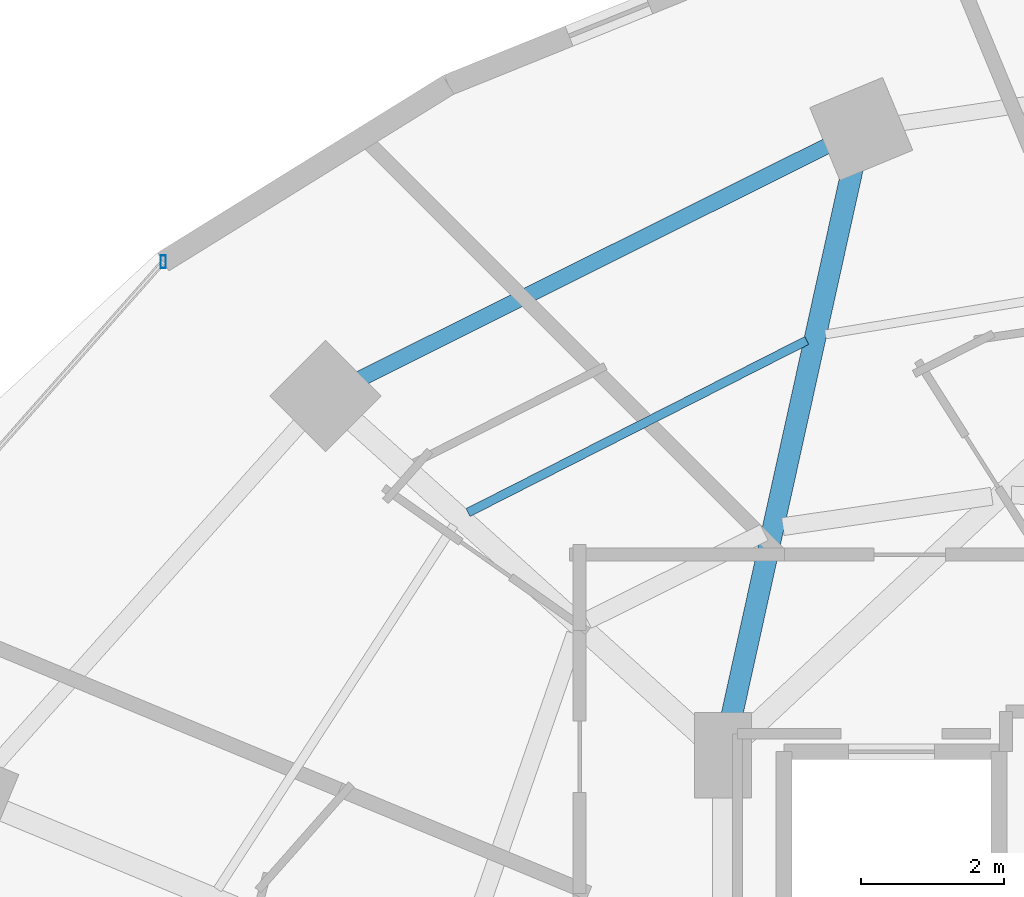
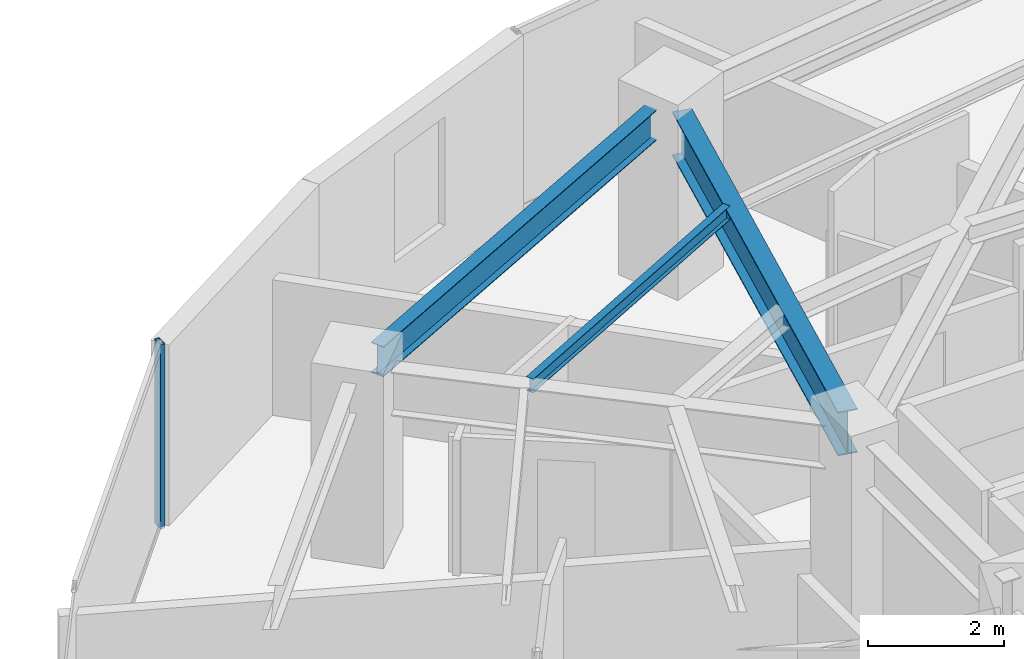
# One storey, part 17 of 30: 3 beams, 1 member, 1 element without a shape of its own.
"""IFC4 building model written with IfcOpenShell, lengths in metres."""

from ifc_helpers import new_model, si_unit, direction, frame, origin, origin_2d, place, context, subcontext, project, spatial, hollow_rectangle, i_section, extrude, material, material_profile, profile_set, type_object, element, aggregate, save


model = new_model("IFC4")

# Units and contexts
model_context = context("Model", 3, precision=1e-05, world=origin(), true_north=direction((0.0, 1.0)))
body_context = subcontext(model_context, "Body", "Model", "MODEL_VIEW")
ifc_project = project(units=[si_unit("LENGTHUNIT", "METRE"), si_unit("AREAUNIT", "SQUARE_METRE"), si_unit("VOLUMEUNIT", "CUBIC_METRE"), si_unit("PLANEANGLEUNIT", "RADIAN"), si_unit("MASSUNIT", "GRAM", prefix="KILO")], contexts=[model_context])

# Site, building, storey
site_placement = place(None, origin())
site = spatial("IfcSite", under=ifc_project, at=site_placement, CompositionType="ELEMENT")
building_placement = place(site_placement, origin())
building = spatial("IfcBuilding", under=site, at=building_placement, Name="Vorneva Point Tower", CompositionType="ELEMENT")
storey_placement = place(building_placement, frame((0.0, 0.0, 106.800048828125)))
storey = spatial("IfcBuildingStorey", under=building, at=storey_placement, Name="L28", CompositionType="ELEMENT", Elevation=106.800048828125)

# Beams
ifc_material_1 = material(Name="Steel S355", Category="steel")
ifc_material_profile_1 = material_profile(ifc_material_1, i_section(OverallWidth=0.300048828125, OverallDepth=0.7880859375, WebThickness=0.014404296875, FlangeThickness=0.02197265625, at=origin_2d()), Name="80Sh1")
ifc_profile_set_1 = profile_set([ifc_material_profile_1], Name="Steel S355")
beam_type_1 = type_object("IfcBeamType", Name="BM-GRD-80Sh1", PredefinedType="USERDEFINED", material=ifc_profile_set_1)
beam_1_placement = place(storey_placement, frame((29.063232421875, 41.365234375, 2.845947265625), z_axis=(-0.215530944428, -0.976497010745, 0.0), x_axis=(0.976497010745, -0.215530944428, 0.0)))
element("IfcBeam", 1, at=beam_1_placement, inside=storey, type_object=beam_type_1, Name="L28 Radial Primary Girder 06", ObjectType="GIRDER", PredefinedType="USERDEFINED", context=body_context, shape_type="SweptSolid", body=[
    extrude(i_section(OverallWidth=0.300048828125, OverallDepth=0.7880859375, WebThickness=0.014404296875, FlangeThickness=0.02197265625, at=origin_2d()), origin(), (0.0, 0.0, 1.0), 8.072998046875),
])
ifc_material_profile_2 = material_profile(ifc_material_1, i_section(OverallWidth=0.1240234375, OverallDepth=0.248046875, WebThickness=0.0048828125, FlangeThickness=0.008056640625, at=origin_2d()), Name="25B1")
ifc_profile_set_2 = profile_set([ifc_material_profile_2], Name="Steel S355")
beam_type_2 = type_object("IfcBeamType", Name="BM-JST-25B1", PredefinedType="JOIST", material=ifc_profile_set_2)
beam_2_placement = place(storey_placement, frame((28.418212890625, 38.937744140625, 3.115966796875), z_axis=(-0.89155318404, -0.452916018737, 0.0), x_axis=(0.452916018737, -0.89155318404, 0.0)))
element("IfcBeam", 2, at=beam_2_placement, inside=storey, type_object=beam_type_2, Name="L28 Secondary Floor Beam 1.06", PredefinedType="JOIST", context=body_context, shape_type="SweptSolid", body=[
    extrude(i_section(OverallWidth=0.1240234375, OverallDepth=0.248046875, WebThickness=0.0048828125, FlangeThickness=0.008056640625, at=origin_2d()), origin(), (0.0, 0.0, 1.0), 5.30029296875),
])
ifc_material_profile_3 = material_profile(ifc_material_1, i_section(OverallWidth=0.219970703125, OverallDepth=0.54296875, WebThickness=0.009521484375, FlangeThickness=0.013427734375, at=origin_2d()), Name="55B1")
ifc_profile_set_3 = profile_set([ifc_material_profile_3], Name="Steel S355")
beam_type_3 = type_object("IfcBeamType", Name="BM-SPN-55B1", PredefinedType="SPANDREL", material=ifc_profile_set_3)
beam_3_placement = place(storey_placement, frame((28.7001953125, 41.652099609375, 2.968505859375), z_axis=(-0.894915882304, -0.446234874926, 0.0), x_axis=(0.446234874926, -0.894915882304, 0.0)))
element("IfcBeam", 3, at=beam_3_placement, inside=storey, type_object=beam_type_3, Name="L28 Perimeter Spandrel Ring Beam 06", PredefinedType="SPANDREL", context=body_context, shape_type="SweptSolid", body=[
    extrude(i_section(OverallWidth=0.219970703125, OverallDepth=0.54296875, WebThickness=0.009521484375, FlangeThickness=0.013427734375, at=origin_2d()), origin(), (0.0, 0.0, 1.0), 7.285888671875),
])

# Curtain wall, member
ifc_material_2 = material(Name="Pale anodised aluminium", Category="aluminium")
curtain_wall_type = type_object("IfcCurtainWallType", Name="CW-HTL-SYS", PredefinedType="NOTDEFINED", material=ifc_material_2)
curtain_wall_placement = place(storey_placement, origin())
curtain_wall = element("IfcCurtainWall", 4, at=curtain_wall_placement, inside=storey, type_object=curtain_wall_type, Name="L28 Unitised Curtain Wall CW-L28-R03", PredefinedType="NOTDEFINED")
ifc_material_profile_4 = material_profile(ifc_material_2, hollow_rectangle(XDim=0.074951171875, YDim=0.179931640625, WallThickness=0.00390625, at=origin_2d()), Name="AL-MUL 180x75x4")
ifc_profile_set_4 = profile_set([ifc_material_profile_4], Name="Pale anodised aluminium")
member_type = type_object("IfcMemberType", Name="CW-MUL-180", PredefinedType="MULLION", material=ifc_profile_set_4)
member_placement = place(storey_placement, frame((19.4384765625, 40.0361328125, -0.0400390625), z_axis=(0.0, 0.0, 1.0), x_axis=(1.0, 0.0, 0.0)))
member = element("IfcMember", 5, at=member_placement, type_object=member_type, Name="CW-L28-R03 Mullion 01", PredefinedType="MULLION", context=body_context, shape_type="SweptSolid", body=[
    extrude(hollow_rectangle(XDim=0.074951171875, YDim=0.179931640625, WallThickness=0.00390625, at=origin_2d()), origin(), (0.0, 0.0, 1.0), 3.31005859375),
])
aggregate(curtain_wall, [member])

save(model, "model.ifc")
